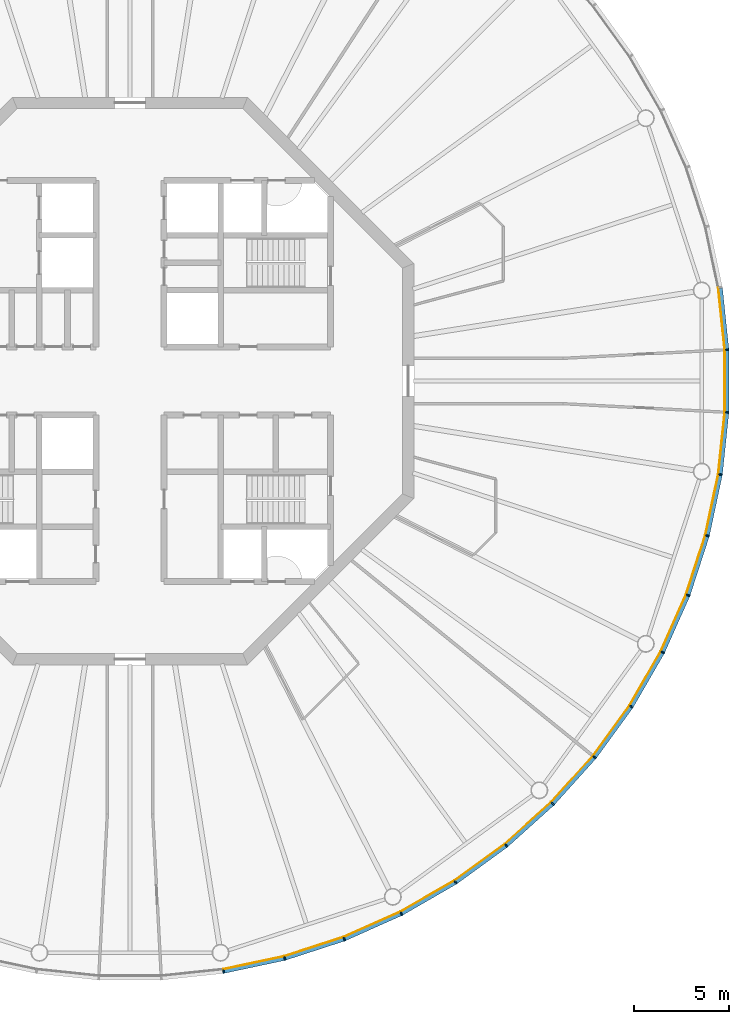
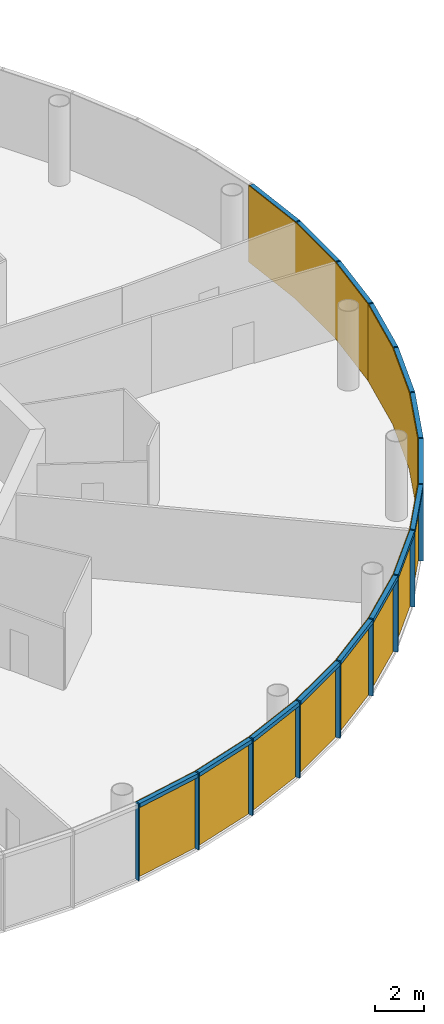
# One storey, part 9 of 13: 30 members, 5 curtain walls.
"""IFC4 building model written with IfcOpenShell, lengths in metres."""

import ifcopenshell
import ifcopenshell.guid

model = None  # the IFC model being written
_history = None  # IfcOwnerHistory: only IFC2X3 demands one
_inside = {}  # id of a spatial element -> (the spatial element, [elements in it])
_under = {}  # id of a project, library or spatial element -> (it, [spatial elements below it])
_declared = {}  # id of a project -> (the project, [libraries it declares])
_typed = {}  # id of a type object -> (the type object, [elements of that type])
_made_of = {}  # id of a material, layer set ... -> (it, [elements and type objects made of it])


def new_model(schema):
    """Start an empty IFC model of exactly this schema.

    Asked for "IFC4X3", IfcOpenShell would pick the latest addendum, in which some entities
    have other attributes; the version numbers below select the first issue.
    IFC2X3 requires an IfcOwnerHistory on every rooted entity: one is made here for all.
    """
    global model, _history
    if schema == "IFC4X3":
        model = ifcopenshell.file(schema_version=(4, 3, 0, 0))
    else:
        model = ifcopenshell.file(schema=schema)
    _inside.clear()
    _under.clear()
    _declared.clear()
    _typed.clear()
    _made_of.clear()
    _history = None
    if model.schema == "IFC2X3":
        org = make("IfcOrganization", Name="unknown")
        user = make(
            "IfcPersonAndOrganization",
            ThePerson=make("IfcPerson", FamilyName="unknown"),
            TheOrganization=org,
        )
        app = make(
            "IfcApplication",
            ApplicationDeveloper=org,
            Version="unknown",
            ApplicationFullName="unknown",
            ApplicationIdentifier="unknown",
        )
        _history = make(
            "IfcOwnerHistory",
            OwningUser=user,
            OwningApplication=app,
            ChangeAction="ADDED",
            CreationDate=0,
        )
    return model


def make(cls, **values):
    """One entity of the class cls with the attributes given. An attribute that is None is left unset."""
    return model.create_entity(
        cls, **{name: value for name, value in values.items() if value is not None}
    )


def rooted(cls, **values):
    """An entity with a GlobalId (a new one), such as an element, a storey or a relation."""
    return make(cls, GlobalId=ifcopenshell.guid.new(), OwnerHistory=_history, **values)


def si_unit(unit_type, name, prefix=None):
    """IfcSIUnit, for example si_unit("LENGTHUNIT", "METRE", prefix="MILLI")."""
    return make("IfcSIUnit", UnitType=unit_type, Prefix=prefix, Name=name)


def assignment(units):
    """IfcUnitAssignment: the units of a project."""
    return None if units is None else make("IfcUnitAssignment", Units=units)


def point(xyz):
    """IfcCartesianPoint."""
    return None if xyz is None else make("IfcCartesianPoint", Coordinates=xyz)


def direction(xyz):
    """IfcDirection."""
    return None if xyz is None else make("IfcDirection", DirectionRatios=xyz)


def frame(location, z_axis=None, x_axis=None):
    """IfcAxis2Placement3D, a coordinate frame: its origin and axes. An axis left out is left unset."""
    return make(
        "IfcAxis2Placement3D",
        Location=point(location),
        Axis=direction(z_axis),
        RefDirection=direction(x_axis),
    )


def frame_2d(location, x_axis=None):
    """IfcAxis2Placement2D, a coordinate frame in the plane: its origin and x axis."""
    return make(
        "IfcAxis2Placement2D", Location=point(location), RefDirection=direction(x_axis)
    )


def origin():
    """The frame at (0, 0, 0) with its axes left unset."""
    return frame((0.0, 0.0, 0.0))


def origin_2d():
    """The frame at (0, 0) in the plane with its x axis left unset."""
    return frame_2d((0.0, 0.0))


def place(relative_to, where):
    """IfcLocalPlacement: puts the frame where relative to a parent placement (None: the world)."""
    return make(
        "IfcLocalPlacement", PlacementRelTo=relative_to, RelativePlacement=where
    )


def context(
    kind, dimensions, precision=None, world=None, true_north=None, identifier=None
):
    """IfcGeometricRepresentationContext, for example the 3D "Model" context."""
    return make(
        "IfcGeometricRepresentationContext",
        ContextIdentifier=identifier,
        ContextType=kind,
        CoordinateSpaceDimension=dimensions,
        Precision=precision,
        WorldCoordinateSystem=world,
        TrueNorth=true_north,
    )


def subcontext(parent, identifier, kind, view, scale=None):
    """IfcGeometricRepresentationSubContext, for example "Body" below "Model"."""
    return make(
        "IfcGeometricRepresentationSubContext",
        ContextIdentifier=identifier,
        ContextType=kind,
        ParentContext=parent,
        TargetScale=scale,
        TargetView=view,
    )


def project(units=None, contexts=None):
    """IfcProject with its units and contexts."""
    return rooted(
        "IfcProject",
        Name="project",
        RepresentationContexts=contexts,
        UnitsInContext=assignment(units),
    )


def spatial(cls, under=None, at=None, **own):
    """A site, building, storey or space (cls), placed at a placement, below another one or the project."""
    s = rooted(cls, ObjectPlacement=at, **own)
    if under is not None:
        _under.setdefault(under.id(), (under, []))[1].append(s)
    return s


def polyline(points):
    """IfcPolyline through the points."""
    return make("IfcPolyline", Points=[point(p) for p in points])


def profile(cls, at=None, kind="AREA", **sizes):
    """A parametric profile (cls). Its sizes go by their IFC names, for example OverallWidth=200.0."""
    return make(cls, ProfileType=kind, Position=at, **sizes)


def rectangle(**sizes):
    """IfcRectangleProfileDef."""
    return profile("IfcRectangleProfileDef", **sizes)


def outline(outer, holes=None, kind="AREA"):
    """IfcArbitraryClosedProfileDef: a profile drawn as a closed curve; with holes, ...WithVoids."""
    if holes is None:
        return make("IfcArbitraryClosedProfileDef", ProfileType=kind, OuterCurve=outer)
    return make(
        "IfcArbitraryProfileDefWithVoids",
        ProfileType=kind,
        OuterCurve=outer,
        InnerCurves=holes,
    )


def extrude(swept, where, along, depth):
    """IfcExtrudedAreaSolid: the profile swept, set in the frame where, extruded along a direction by depth."""
    return make(
        "IfcExtrudedAreaSolid",
        SweptArea=swept,
        Position=where,
        ExtrudedDirection=direction(along),
        Depth=depth,
    )


def shape(context_of_items, identifier, shape_type, items):
    """IfcShapeRepresentation: the items that make up one representation, for example the "Body"."""
    return make(
        "IfcShapeRepresentation",
        ContextOfItems=context_of_items,
        RepresentationIdentifier=identifier,
        RepresentationType=shape_type,
        Items=items,
    )


def material(Name=None, Category=None):
    """IfcMaterial."""
    return make("IfcMaterial", Name=Name, Category=Category)


def layer(
    of_material, thickness, ventilated=None, Name=None, Category=None, Priority=None
):
    """IfcMaterialLayer: one layer of a wall or slab, of a material (None: an air gap)."""
    return make(
        "IfcMaterialLayer",
        Material=of_material,
        LayerThickness=thickness,
        IsVentilated=ventilated,
        Name=Name,
        Category=Category,
        Priority=Priority,
    )


def layer_set(layers, Name=None):
    """IfcMaterialLayerSet."""
    return make("IfcMaterialLayerSet", MaterialLayers=layers, LayerSetName=Name)


def material_profile(
    of_material, cross_section, Name=None, Category=None, Priority=None
):
    """IfcMaterialProfile: a cross section and its material."""
    return make(
        "IfcMaterialProfile",
        Name=Name,
        Material=of_material,
        Profile=cross_section,
        Priority=Priority,
        Category=Category,
    )


def profile_set(profiles, Name=None, composite=None):
    """IfcMaterialProfileSet."""
    return make(
        "IfcMaterialProfileSet",
        Name=Name,
        MaterialProfiles=profiles,
        CompositeProfile=composite,
    )


def made_of(thing, what):
    """Note that an element or type object is made of a material, layer set ...; save() writes the relation."""
    if what is not None:
        _made_of.setdefault(what.id(), (what, []))[1].append(thing)
    return thing


def type_object(cls, material=None, **own):
    """A type object (cls), such as IfcWallType, which elements share."""
    return made_of(rooted(cls, **own), material)


def element(
    cls,
    number,
    at=None,
    inside=None,
    cuts=None,
    type_object=None,
    material=None,
    context=None,
    identifier="Body",
    shape_type=None,
    held_by="IfcProductDefinitionShape",
    body=None,
    shapes=None,
    **own,
):
    """One element of the class cls, such as IfcWall. Its Tag is "e" and its number.

    at: its placement. inside: the storey or other place that contains it. cuts: it is an
    opening in that element (IfcRelVoidsElement). A single representation is given by context,
    identifier, shape_type and body (its items); several are given by shapes. held_by: the class
    of the entity that holds the representations. save() writes the other relations.
    """
    e = rooted(cls, Tag="e%d" % number, ObjectPlacement=at, **own)
    if body is not None:
        shapes = [shape(context, identifier, shape_type, body)]
    if shapes is not None:
        e.Representation = make(held_by, Representations=shapes)
    if inside is not None:
        _inside.setdefault(inside.id(), (inside, []))[1].append(e)
    if cuts is not None:
        rooted(
            "IfcRelVoidsElement", RelatingBuildingElement=cuts, RelatedOpeningElement=e
        )
    if type_object is not None:
        _typed.setdefault(type_object.id(), (type_object, []))[1].append(e)
    return made_of(e, material)


def aggregate(whole, parts):
    """IfcRelAggregates: a whole, such as a stair, and the parts it consists of."""
    return rooted("IfcRelAggregates", RelatingObject=whole, RelatedObjects=parts)


def save(model, path):
    """Write the relations noted so far, then the file.

    IfcRelAggregates (storeys below a building ...), IfcRelContainedInSpatialStructure (elements
    in a storey), IfcRelDefinesByType, IfcRelAssociatesMaterial and IfcRelDeclares: one each for
    every whole, place, type object, material and project.
    """
    for whole, parts in _under.values():
        aggregate(whole, parts)
    for where, things in _inside.values():
        rooted(
            "IfcRelContainedInSpatialStructure",
            RelatedElements=things,
            RelatingStructure=where,
        )
    for kind, things in _typed.values():
        rooted("IfcRelDefinesByType", RelatedObjects=things, RelatingType=kind)
    for what, things in _made_of.values():
        rooted("IfcRelAssociatesMaterial", RelatedObjects=things, RelatingMaterial=what)
    for by, libraries in _declared.values():
        rooted("IfcRelDeclares", RelatingContext=by, RelatedDefinitions=libraries)
    model.write(path)


model = new_model("IFC4")

# Units and contexts
model_context = context("Model", 3, precision=1e-05, world=origin(), true_north=direction((0.0, 1.0)))
body_context = subcontext(model_context, "Body", "Model", "MODEL_VIEW")
ifc_project = project(units=[si_unit("LENGTHUNIT", "METRE"), si_unit("AREAUNIT", "SQUARE_METRE"), si_unit("VOLUMEUNIT", "CUBIC_METRE"), si_unit("PLANEANGLEUNIT", "RADIAN"), si_unit("MASSUNIT", "GRAM", prefix="KILO")], contexts=[model_context])

# Member
ifc_material_1 = material(Name="Anodised aluminium", Category="aluminium")
ifc_material_profile_1 = material_profile(ifc_material_1, rectangle(XDim=0.070068359375, YDim=0.205078125, at=origin_2d()), Name="Mullion 70 x 205 mm anodised aluminium")
ifc_profile_set_1 = profile_set([ifc_material_profile_1], Name="Anodised aluminium")
member_type_1 = type_object("IfcMemberType", Name="Mullion 70 x 205 mm anodised aluminium", PredefinedType="MULLION", material=ifc_profile_set_1)
site_placement = place(None, origin())
building_placement = place(site_placement, origin())
storey_placement = place(building_placement, frame((0.0, 0.0, 348.0)))
member_1_placement = place(storey_placement, frame((94.943603515625, 48.78662109375, 0.0), z_axis=(0.0, 0.0, 1.0), x_axis=(0.987688340595, 0.15643446504, 0.0)))
member_1 = element("IfcMember", 1, at=member_1_placement, type_object=member_type_1, Name="MULLION L80-45", PredefinedType="MULLION", context=body_context, shape_type="SweptSolid", body=[
    extrude(rectangle(XDim=0.070068359375, YDim=0.205078125, at=origin_2d()), origin(), (0.0, 0.0, 1.0), 3.85009765625),
])

member_2_placement = place(storey_placement, frame((98.179443359375, 49.474365234375, 0.0), z_axis=(0.0, 0.0, 1.0), x_axis=(0.965925826289, 0.258819045103, 0.0)))
member_2 = element("IfcMember", 2, at=member_2_placement, type_object=member_type_1, Name="MULLION L80-46", PredefinedType="MULLION", context=body_context, shape_type="SweptSolid", body=[
    extrude(rectangle(XDim=0.070068359375, YDim=0.205078125, at=origin_2d()), origin(), (0.0, 0.0, 1.0), 3.85009765625),
])

member_3_placement = place(storey_placement, frame((101.325439453125, 50.49658203125, 0.0), z_axis=(0.0, 0.0, 1.0), x_axis=(0.933580426497, 0.358367949545, 0.0)))
member_3 = element("IfcMember", 3, at=member_3_placement, type_object=member_type_1, Name="MULLION L80-47", PredefinedType="MULLION", context=body_context, shape_type="SweptSolid", body=[
    extrude(rectangle(XDim=0.070068359375, YDim=0.205078125, at=origin_2d()), origin(), (0.0, 0.0, 1.0), 3.85009765625),
])

member_4_placement = place(storey_placement, frame((104.34716796875, 51.842041015625, 0.0), z_axis=(0.0, 0.0, 1.0), x_axis=(0.891006524188, 0.45399049974, 0.0)))
member_4 = element("IfcMember", 4, at=member_4_placement, type_object=member_type_1, Name="MULLION L80-48", PredefinedType="MULLION", context=body_context, shape_type="SweptSolid", body=[
    extrude(rectangle(XDim=0.070068359375, YDim=0.205078125, at=origin_2d()), origin(), (0.0, 0.0, 1.0), 3.85009765625),
])

member_5_placement = place(storey_placement, frame((107.2119140625, 53.495849609375, 0.0), z_axis=(0.0, 0.0, 1.0), x_axis=(0.838670567945, 0.544639035015, 0.0)))
member_5 = element("IfcMember", 5, at=member_5_placement, type_object=member_type_1, Name="MULLION L80-49", PredefinedType="MULLION", context=body_context, shape_type="SweptSolid", body=[
    extrude(rectangle(XDim=0.070068359375, YDim=0.205078125, at=origin_2d()), origin(), (0.0, 0.0, 1.0), 3.85009765625),
])

member_6_placement = place(storey_placement, frame((109.88818359375, 55.440185546875, 0.0), z_axis=(0.0, 0.0, 1.0), x_axis=(0.777145961457, 0.62932039105, 0.0)))
member_6 = element("IfcMember", 6, at=member_6_placement, type_object=member_type_1, Name="MULLION L80-50", PredefinedType="MULLION", context=body_context, shape_type="SweptSolid", body=[
    extrude(rectangle(XDim=0.070068359375, YDim=0.205078125, at=origin_2d()), origin(), (0.0, 0.0, 1.0), 3.85009765625),
])

member_7_placement = place(storey_placement, frame((112.346435546875, 57.653564453125, 0.0), z_axis=(0.0, 0.0, 1.0), x_axis=(0.707106781187, 0.707106781187, 0.0)))
member_7 = element("IfcMember", 7, at=member_7_placement, type_object=member_type_1, Name="MULLION L80-51", PredefinedType="MULLION", context=body_context, shape_type="SweptSolid", body=[
    extrude(rectangle(XDim=0.070068359375, YDim=0.205078125, at=origin_2d()), origin(), (0.0, 0.0, 1.0), 3.85009765625),
])

member_8_placement = place(storey_placement, frame((114.559814453125, 60.11181640625, 0.0), z_axis=(0.0, 0.0, 1.0), x_axis=(0.62932039105, 0.777145961457, 0.0)))
member_8 = element("IfcMember", 8, at=member_8_placement, type_object=member_type_1, Name="MULLION L80-52", PredefinedType="MULLION", context=body_context, shape_type="SweptSolid", body=[
    extrude(rectangle(XDim=0.070068359375, YDim=0.205078125, at=origin_2d()), origin(), (0.0, 0.0, 1.0), 3.85009765625),
])

member_9_placement = place(storey_placement, frame((116.504150390625, 62.7880859375, 0.0), z_axis=(0.0, 0.0, 1.0), x_axis=(0.544639035015, 0.838670567945, 0.0)))
member_9 = element("IfcMember", 9, at=member_9_placement, type_object=member_type_1, Name="MULLION L80-53", PredefinedType="MULLION", context=body_context, shape_type="SweptSolid", body=[
    extrude(rectangle(XDim=0.070068359375, YDim=0.205078125, at=origin_2d()), origin(), (0.0, 0.0, 1.0), 3.85009765625),
])

member_10_placement = place(storey_placement, frame((118.157958984375, 65.65283203125, 0.0), z_axis=(0.0, 0.0, 1.0), x_axis=(0.45399049974, 0.891006524188, 0.0)))
member_10 = element("IfcMember", 10, at=member_10_placement, type_object=member_type_1, Name="MULLION L80-54", PredefinedType="MULLION", context=body_context, shape_type="SweptSolid", body=[
    extrude(rectangle(XDim=0.070068359375, YDim=0.205078125, at=origin_2d()), origin(), (0.0, 0.0, 1.0), 3.85009765625),
])

member_11_placement = place(storey_placement, frame((119.50341796875, 68.674560546875, 0.0), z_axis=(0.0, 0.0, 1.0), x_axis=(0.358367949545, 0.933580426497, 0.0)))
member_11 = element("IfcMember", 11, at=member_11_placement, type_object=member_type_1, Name="MULLION L80-55", PredefinedType="MULLION", context=body_context, shape_type="SweptSolid", body=[
    extrude(rectangle(XDim=0.070068359375, YDim=0.205078125, at=origin_2d()), origin(), (0.0, 0.0, 1.0), 3.85009765625),
])

member_12_placement = place(storey_placement, frame((120.525634765625, 71.820556640625, 0.0), z_axis=(0.0, 0.0, 1.0), x_axis=(0.258819045103, 0.965925826289, 0.0)))
member_12 = element("IfcMember", 12, at=member_12_placement, type_object=member_type_1, Name="MULLION L80-56", PredefinedType="MULLION", context=body_context, shape_type="SweptSolid", body=[
    extrude(rectangle(XDim=0.070068359375, YDim=0.205078125, at=origin_2d()), origin(), (0.0, 0.0, 1.0), 3.85009765625),
])

member_13_placement = place(storey_placement, frame((121.21337890625, 75.056396484375, 0.0), z_axis=(0.0, 0.0, 1.0), x_axis=(0.15643446504, 0.987688340595, 0.0)))
member_13 = element("IfcMember", 13, at=member_13_placement, type_object=member_type_1, Name="MULLION L80-57", PredefinedType="MULLION", context=body_context, shape_type="SweptSolid", body=[
    extrude(rectangle(XDim=0.070068359375, YDim=0.205078125, at=origin_2d()), origin(), (0.0, 0.0, 1.0), 3.85009765625),
])

member_14_placement = place(storey_placement, frame((121.55908203125, 78.345947265625, 0.0), z_axis=(0.0, 0.0, 1.0), x_axis=(0.052335956243, 0.998629534755, 0.0)))
member_14 = element("IfcMember", 14, at=member_14_placement, type_object=member_type_1, Name="MULLION L80-58", PredefinedType="MULLION", context=body_context, shape_type="SweptSolid", body=[
    extrude(rectangle(XDim=0.070068359375, YDim=0.205078125, at=origin_2d()), origin(), (0.0, 0.0, 1.0), 3.85009765625),
])

member_15_placement = place(storey_placement, frame((121.55908203125, 81.654052734375, 0.0), z_axis=(0.0, 0.0, 1.0), x_axis=(-0.052335956243, 0.998629534755, 0.0)))
member_15 = element("IfcMember", 15, at=member_15_placement, type_object=member_type_1, Name="MULLION L80-59", PredefinedType="MULLION", context=body_context, shape_type="SweptSolid", body=[
    extrude(rectangle(XDim=0.070068359375, YDim=0.205078125, at=origin_2d()), origin(), (0.0, 0.0, 1.0), 3.85009765625),
])

ifc_material_2 = material(Name="Anodised aluminium", Category="aluminium")
ifc_material_profile_2 = material_profile(ifc_material_2, rectangle(XDim=0.205078125, YDim=0.195068359375, at=origin_2d()), Name="Transom 195 x 205 mm anodised aluminium")
ifc_profile_set_2 = profile_set([ifc_material_profile_2], Name="Anodised aluminium")
member_type_2 = type_object("IfcMemberType", Name="Transom 195 x 205 mm anodised aluminium", PredefinedType="USERDEFINED", material=ifc_profile_set_2)
member_16_placement = place(storey_placement, frame((94.983154296875, 48.794921875, 3.75244140625), z_axis=(0.978153082647, 0.207885898771, 0.0), x_axis=(-0.207885898771, 0.978153082647, 0.0)))
member_16 = element("IfcMember", 16, at=member_16_placement, type_object=member_type_2, Name="TRANSOM L80-45", ObjectType="TRANSOM", PredefinedType="USERDEFINED", context=body_context, shape_type="SweptSolid", body=[
    extrude(rectangle(XDim=0.205078125, YDim=0.195068359375, at=origin_2d()), origin(), (0.0, 0.0, 1.0), 3.227294921875),
])

member_17_placement = place(storey_placement, frame((98.2177734375, 49.486572265625, 3.75244140625), z_axis=(0.951046855117, 0.309046726844, 0.0), x_axis=(-0.309046726844, 0.951046855117, 0.0)))
member_17 = element("IfcMember", 17, at=member_17_placement, type_object=member_type_2, Name="TRANSOM L80-46", ObjectType="TRANSOM", PredefinedType="USERDEFINED", context=body_context, shape_type="SweptSolid", body=[
    extrude(rectangle(XDim=0.205078125, YDim=0.195068359375, at=origin_2d()), origin(), (0.0, 0.0, 1.0), 3.22705078125),
])

member_18_placement = place(storey_placement, frame((101.3623046875, 50.5126953125, 3.75244140625), z_axis=(0.913521178731, 0.406791170024, 0.0), x_axis=(-0.406791170024, 0.913521178731, 0.0)))
member_18 = element("IfcMember", 18, at=member_18_placement, type_object=member_type_2, Name="TRANSOM L80-47", ObjectType="TRANSOM", PredefinedType="USERDEFINED", context=body_context, shape_type="SweptSolid", body=[
    extrude(rectangle(XDim=0.205078125, YDim=0.195068359375, at=origin_2d()), origin(), (0.0, 0.0, 1.0), 3.22705078125),
])

member_19_placement = place(storey_placement, frame((104.38232421875, 51.862060546875, 3.75244140625), z_axis=(0.866023062494, 0.500004055213, 0.0), x_axis=(-0.500004055213, 0.866023062494, 0.0)))
member_19 = element("IfcMember", 19, at=member_19_placement, type_object=member_type_2, Name="TRANSOM L80-48", ObjectType="TRANSOM", PredefinedType="USERDEFINED", context=body_context, shape_type="SweptSolid", body=[
    extrude(rectangle(XDim=0.205078125, YDim=0.195068359375, at=origin_2d()), origin(), (0.0, 0.0, 1.0), 3.22705078125),
])

member_20_placement = place(storey_placement, frame((107.24462890625, 53.51953125, 3.75244140625), z_axis=(0.809004252048, 0.587802790201, 0.0), x_axis=(-0.587802790201, 0.809004252048, 0.0)))
member_20 = element("IfcMember", 20, at=member_20_placement, type_object=member_type_2, Name="TRANSOM L80-49", ObjectType="TRANSOM", PredefinedType="USERDEFINED", context=body_context, shape_type="SweptSolid", body=[
    extrude(rectangle(XDim=0.205078125, YDim=0.195068359375, at=origin_2d()), origin(), (0.0, 0.0, 1.0), 3.227294921875),
])

member_21_placement = place(storey_placement, frame((109.918212890625, 55.467041015625, 3.75244140625), z_axis=(0.743132370743, 0.669144438484, 0.0), x_axis=(-0.669144438484, 0.743132370743, 0.0)))
member_21 = element("IfcMember", 21, at=member_21_placement, type_object=member_type_2, Name="TRANSOM L80-50", ObjectType="TRANSOM", PredefinedType="USERDEFINED", context=body_context, shape_type="SweptSolid", body=[
    extrude(rectangle(XDim=0.205078125, YDim=0.195068359375, at=origin_2d()), origin(), (0.0, 0.0, 1.0), 3.22705078125),
])

member_22_placement = place(storey_placement, frame((112.37353515625, 57.68359375, 3.75244140625), z_axis=(0.669144438484, 0.743132370743, 0.0), x_axis=(-0.743132370743, 0.669144438484, 0.0)))
member_22 = element("IfcMember", 22, at=member_22_placement, type_object=member_type_2, Name="TRANSOM L80-51", ObjectType="TRANSOM", PredefinedType="USERDEFINED", context=body_context, shape_type="SweptSolid", body=[
    extrude(rectangle(XDim=0.205078125, YDim=0.195068359375, at=origin_2d()), origin(), (0.0, 0.0, 1.0), 3.22705078125),
])

member_23_placement = place(storey_placement, frame((114.58349609375, 60.14453125, 3.75244140625), z_axis=(0.587802790201, 0.809004252048, 0.0), x_axis=(-0.809004252048, 0.587802790201, 0.0)))
member_23 = element("IfcMember", 23, at=member_23_placement, type_object=member_type_2, Name="TRANSOM L80-52", ObjectType="TRANSOM", PredefinedType="USERDEFINED", context=body_context, shape_type="SweptSolid", body=[
    extrude(rectangle(XDim=0.205078125, YDim=0.195068359375, at=origin_2d()), origin(), (0.0, 0.0, 1.0), 3.227294921875),
])

member_24_placement = place(storey_placement, frame((116.5244140625, 62.822998046875, 3.75244140625), z_axis=(0.500004055213, 0.866023062494, 0.0), x_axis=(-0.866023062494, 0.500004055213, 0.0)))
member_24 = element("IfcMember", 24, at=member_24_placement, type_object=member_type_2, Name="TRANSOM L80-53", ObjectType="TRANSOM", PredefinedType="USERDEFINED", context=body_context, shape_type="SweptSolid", body=[
    extrude(rectangle(XDim=0.205078125, YDim=0.195068359375, at=origin_2d()), origin(), (0.0, 0.0, 1.0), 3.22705078125),
])

member_25_placement = place(storey_placement, frame((118.174560546875, 65.689697265625, 3.75244140625), z_axis=(0.406791170024, 0.913521178731, 0.0), x_axis=(-0.913521178731, 0.406791170024, 0.0)))
member_25 = element("IfcMember", 25, at=member_25_placement, type_object=member_type_2, Name="TRANSOM L80-54", ObjectType="TRANSOM", PredefinedType="USERDEFINED", context=body_context, shape_type="SweptSolid", body=[
    extrude(rectangle(XDim=0.205078125, YDim=0.195068359375, at=origin_2d()), origin(), (0.0, 0.0, 1.0), 3.22705078125),
])

member_26_placement = place(storey_placement, frame((119.51611328125, 68.713134765625, 3.75244140625), z_axis=(0.309046726844, 0.951046855117, 0.0), x_axis=(-0.951046855117, 0.309046726844, 0.0)))
member_26 = element("IfcMember", 26, at=member_26_placement, type_object=member_type_2, Name="TRANSOM L80-55", ObjectType="TRANSOM", PredefinedType="USERDEFINED", context=body_context, shape_type="SweptSolid", body=[
    extrude(rectangle(XDim=0.205078125, YDim=0.195068359375, at=origin_2d()), origin(), (0.0, 0.0, 1.0), 3.22705078125),
])

member_27_placement = place(storey_placement, frame((120.5341796875, 71.860107421875, 3.75244140625), z_axis=(0.207885898771, 0.978153082647, 0.0), x_axis=(-0.978153082647, 0.207885898771, 0.0)))
member_27 = element("IfcMember", 27, at=member_27_placement, type_object=member_type_2, Name="TRANSOM L80-56", ObjectType="TRANSOM", PredefinedType="USERDEFINED", context=body_context, shape_type="SweptSolid", body=[
    extrude(rectangle(XDim=0.205078125, YDim=0.195068359375, at=origin_2d()), origin(), (0.0, 0.0, 1.0), 3.227294921875),
])

member_28_placement = place(storey_placement, frame((121.2177734375, 75.096435546875, 3.75244140625), z_axis=(0.104550890115, 0.994519537956, 0.0), x_axis=(-0.994519537956, 0.104550890115, 0.0)))
member_28 = element("IfcMember", 28, at=member_28_placement, type_object=member_type_2, Name="TRANSOM L80-57", ObjectType="TRANSOM", PredefinedType="USERDEFINED", context=body_context, shape_type="SweptSolid", body=[
    extrude(rectangle(XDim=0.205078125, YDim=0.195068359375, at=origin_2d()), origin(), (0.0, 0.0, 1.0), 3.22705078125),
])

member_29_placement = place(storey_placement, frame((121.559326171875, 78.386474609375, 3.75244140625), z_axis=(0.0, 1.0, 0.0), x_axis=(-1.0, 0.0, 0.0)))
member_29 = element("IfcMember", 29, at=member_29_placement, type_object=member_type_2, Name="TRANSOM L80-58", ObjectType="TRANSOM", PredefinedType="USERDEFINED", context=body_context, shape_type="SweptSolid", body=[
    extrude(rectangle(XDim=0.205078125, YDim=0.195068359375, at=origin_2d()), origin(), (0.0, 0.0, 1.0), 3.22705078125),
])

member_30_placement = place(storey_placement, frame((121.55517578125, 81.694091796875, 3.75244140625), z_axis=(-0.104550890115, 0.994519537956, 0.0), x_axis=(-0.994519537956, -0.104550890115, 0.0)))
member_30 = element("IfcMember", 30, at=member_30_placement, type_object=member_type_2, Name="TRANSOM L80-59", ObjectType="TRANSOM", PredefinedType="USERDEFINED", context=body_context, shape_type="SweptSolid", body=[
    extrude(rectangle(XDim=0.205078125, YDim=0.195068359375, at=origin_2d()), origin(), (0.0, 0.0, 1.0), 3.22705078125),
])

# Site, building, storey
site = spatial("IfcSite", under=ifc_project, at=site_placement, CompositionType="ELEMENT")
building = spatial("IfcBuilding", under=site, at=building_placement, Name="Entoto Ring Tower", CompositionType="ELEMENT")
storey = spatial("IfcBuildingStorey", under=building, at=storey_placement, Name="L80", CompositionType="ELEMENT", Elevation=348.0)

# Curtain wall
ifc_material_3 = material(Name="Clear low-iron glass", Category="glass")
ifc_layer = layer(ifc_material_3, 0.035888671875)
ifc_layer_set = layer_set([ifc_layer], Name="Clear low-iron glass")
curtain_wall_type = type_object("IfcCurtainWallType", Name="Curtain wall system CW6 glazing 36 mm", PredefinedType="NOTDEFINED", material=ifc_layer_set)
curtain_wall_1_placement = place(storey_placement, origin())
curtain_wall_1 = element("IfcCurtainWall", 31, at=curtain_wall_1_placement, inside=storey, type_object=curtain_wall_type, Name="CW6 L80-16", PredefinedType="NOTDEFINED", context=body_context, shape_type="SweptSolid", body=[
    extrude(outline(polyline([(94.927734375, 48.8876953125), (98.15283203125, 49.5732421875), (101.28857421875, 50.59228515625), (104.30078125, 51.933349609375), (104.284423828125, 51.96533203125), (101.275634765625, 50.6259765625), (98.1435546875, 49.608154296875), (94.922119140625, 48.92333984375), (94.927734375, 48.8876953125)])), origin(), (0.0, 0.0, 1.0), 3.85009765625),
])

aggregate(curtain_wall_1, [member_1, member_2, member_3, member_16, member_17, member_18])

curtain_wall_2_placement = place(storey_placement, origin())
curtain_wall_2 = element("IfcCurtainWall", 32, at=curtain_wall_2_placement, inside=storey, type_object=curtain_wall_type, Name="CW6 L80-17", PredefinedType="NOTDEFINED", context=body_context, shape_type="SweptSolid", body=[
    extrude(outline(polyline([(104.30078125, 51.933349609375), (107.15625, 53.581787109375), (109.823486328125, 55.52001953125), (112.27392578125, 57.72607421875), (112.248291015625, 57.751708984375), (109.801025390625, 55.5478515625), (107.136474609375, 53.612060546875), (104.284423828125, 51.96533203125), (104.30078125, 51.933349609375)])), origin(), (0.0, 0.0, 1.0), 3.85009765625),
])

aggregate(curtain_wall_2, [member_4, member_5, member_6, member_19, member_20, member_21])

curtain_wall_3_placement = place(storey_placement, origin())
curtain_wall_3 = element("IfcCurtainWall", 33, at=curtain_wall_3_placement, inside=storey, type_object=curtain_wall_type, Name="CW6 L80-18", PredefinedType="NOTDEFINED", context=body_context, shape_type="SweptSolid", body=[
    extrude(outline(polyline([(112.27392578125, 57.72607421875), (114.47998046875, 60.176513671875), (116.418212890625, 62.84375), (118.066650390625, 65.69921875), (118.03466796875, 65.715576171875), (116.387939453125, 62.863525390625), (114.4521484375, 60.198974609375), (112.248291015625, 57.751708984375), (112.27392578125, 57.72607421875)])), origin(), (0.0, 0.0, 1.0), 3.85009765625),
])

aggregate(curtain_wall_3, [member_7, member_8, member_9, member_22, member_23, member_24])

curtain_wall_4_placement = place(storey_placement, origin())
curtain_wall_4 = element("IfcCurtainWall", 34, at=curtain_wall_4_placement, inside=storey, type_object=curtain_wall_type, Name="CW6 L80-19", PredefinedType="NOTDEFINED", context=body_context, shape_type="SweptSolid", body=[
    extrude(outline(polyline([(118.066650390625, 65.69921875), (119.40771484375, 68.71142578125), (120.4267578125, 71.84716796875), (121.1123046875, 75.072265625), (121.07666015625, 75.077880859375), (120.391845703125, 71.8564453125), (119.3740234375, 68.724365234375), (118.03466796875, 65.715576171875), (118.066650390625, 65.69921875)])), origin(), (0.0, 0.0, 1.0), 3.85009765625),
])

aggregate(curtain_wall_4, [member_10, member_11, member_12, member_25, member_26, member_27])

curtain_wall_5_placement = place(storey_placement, origin())
curtain_wall_5 = element("IfcCurtainWall", 35, at=curtain_wall_5_placement, inside=storey, type_object=curtain_wall_type, Name="CW6 L80-20", PredefinedType="NOTDEFINED", context=body_context, shape_type="SweptSolid", body=[
    extrude(outline(polyline([(121.1123046875, 75.072265625), (121.456787109375, 78.351318359375), (121.456787109375, 81.648681640625), (121.1123046875, 84.927734375), (121.07666015625, 84.922119140625), (121.4208984375, 81.646728515625), (121.4208984375, 78.353271484375), (121.07666015625, 75.077880859375), (121.1123046875, 75.072265625)])), origin(), (0.0, 0.0, 1.0), 3.85009765625),
])

aggregate(curtain_wall_5, [member_13, member_14, member_15, member_28, member_29, member_30])

save(model, "model.ifc")
